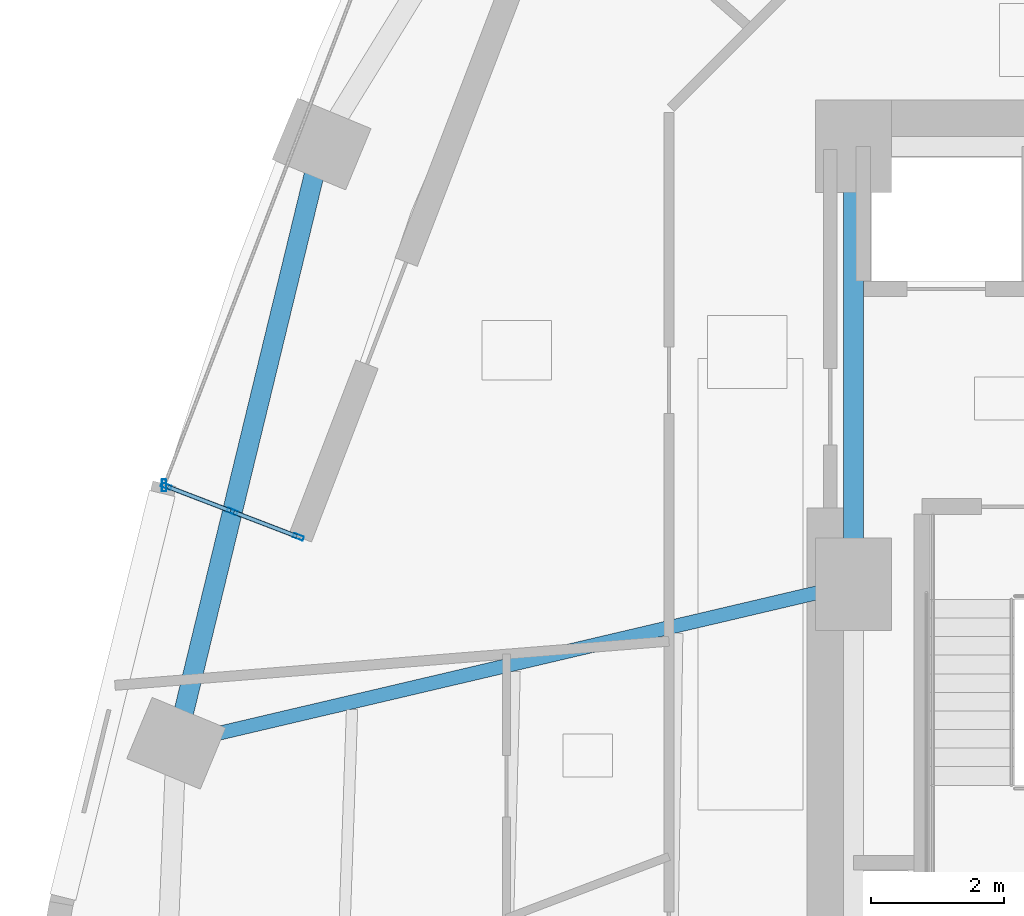
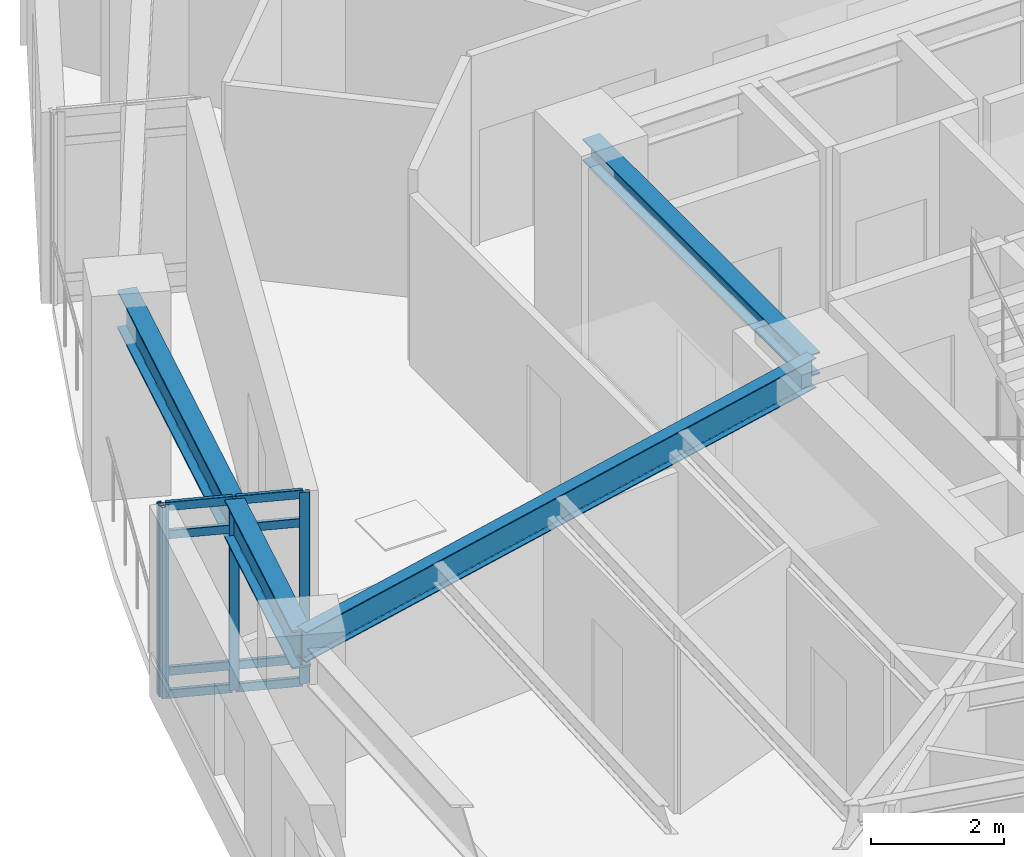
# One storey, part 2 of 12: 12 members, 3 beams, 1 element without a shape of its own.
"""IFC4 building model written with IfcOpenShell, lengths in metres."""

from ifc_helpers import new_model, si_unit, direction, frame, origin, origin_2d, place, context, subcontext, project, spatial, hollow_rectangle, i_section, extrude, material, layer, layer_set, material_profile, profile_set, type_object, element, aggregate, save


model = new_model("IFC4")

# Units and contexts
model_context = context("Model", 3, precision=1e-05, world=origin(), true_north=direction((0.0, 1.0)))
body_context = subcontext(model_context, "Body", "Model", "MODEL_VIEW")
ifc_project = project(units=[si_unit("LENGTHUNIT", "METRE"), si_unit("AREAUNIT", "SQUARE_METRE"), si_unit("VOLUMEUNIT", "CUBIC_METRE"), si_unit("PLANEANGLEUNIT", "RADIAN"), si_unit("MASSUNIT", "GRAM", prefix="KILO")], contexts=[model_context])

# Site, building, storey
site_placement = place(None, origin())
site = spatial("IfcSite", under=ifc_project, at=site_placement, CompositionType="ELEMENT")
building_placement = place(site_placement, origin())
building = spatial("IfcBuilding", under=site, at=building_placement, Name="Ndelora Gate Hotel", CompositionType="ELEMENT")
storey_placement = place(building_placement, frame((0.0, 0.0, 68.0)))
storey = spatial("IfcBuildingStorey", under=building, at=storey_placement, Name="L16", CompositionType="ELEMENT", Elevation=68.0)

# Beams
ifc_material_1 = material(Name="Steel S355", Category="steel")
ifc_material_profile_1 = material_profile(ifc_material_1, i_section(OverallWidth=0.300048828125, OverallDepth=0.39990234375, WebThickness=0.013427734375, FlangeThickness=0.02392578125, FilletRadius=0.027099609375, at=origin_2d()), Name="HEB 400")
ifc_profile_set_1 = profile_set([ifc_material_profile_1], Name="Steel S355")
beam_type_1 = type_object("IfcBeamType", Name="BM-CORE-400", PredefinedType="BEAM", material=ifc_profile_set_1)
beam_1_placement = place(storey_placement, frame((-8.0, 0.0, 3.300048828125), z_axis=(0.0, 1.0, 0.0), x_axis=(-1.0, 0.0, 0.0)))
element("IfcBeam", 1, at=beam_1_placement, inside=storey, type_object=beam_type_1, Name="L16 Core Tie Girder CC8-CC7", PredefinedType="BEAM", context=body_context, shape_type="SweptSolid", body=[
    extrude(i_section(OverallWidth=0.300048828125, OverallDepth=0.39990234375, WebThickness=0.013427734375, FlangeThickness=0.02392578125, FilletRadius=0.027099609375, at=origin_2d()), origin(), (0.0, 0.0, 1.0), 6.60009765625),
])
ifc_material_profile_2 = material_profile(ifc_material_1, i_section(OverallWidth=0.2099609375, OverallDepth=0.550048828125, WebThickness=0.010986328125, FlangeThickness=0.01708984375, FilletRadius=0.02392578125, at=origin_2d()), Name="IPE 550")
ifc_profile_set_2 = profile_set([ifc_material_profile_2], Name="Steel S355")
beam_type_2 = type_object("IfcBeamType", Name="BM-RAD-550", PredefinedType="BEAM", material=ifc_profile_set_2)
beam_2_placement = place(storey_placement, frame((-8.0, 0.0, 3.22509765625), z_axis=(-0.973517848051, -0.22861102232, 0.0), x_axis=(0.22861102232, -0.973517848051, 0.0)))
element("IfcBeam", 2, at=beam_2_placement, inside=storey, type_object=beam_type_2, Name="L16 Radial Floor Girder 4", PredefinedType="BEAM", context=body_context, shape_type="SweptSolid", body=[
    extrude(i_section(OverallWidth=0.2099609375, OverallDepth=0.550048828125, WebThickness=0.010986328125, FlangeThickness=0.01708984375, FilletRadius=0.02392578125, at=origin_2d()), origin(), (0.0, 0.0, 1.0), 10.48486328125),
])
ifc_material_profile_3 = material_profile(ifc_material_1, i_section(OverallWidth=0.300048828125, OverallDepth=0.699951171875, WebThickness=0.01708984375, FlangeThickness=0.031982421875, FilletRadius=0.027099609375, at=origin_2d()), Name="HEB 700")
ifc_profile_set_3 = profile_set([ifc_material_profile_3], Name="Steel S355")
beam_type_3 = type_object("IfcBeamType", Name="BM-RING-700", PredefinedType="SPANDREL", material=ifc_profile_set_3)
beam_3_placement = place(storey_placement, frame((-16.016845703125, 6.634521484375, 3.14990234375), z_axis=(-0.235699273714, -0.971826040179, 0.0), x_axis=(0.971826040179, -0.235699273714, 0.0)))
element("IfcBeam", 3, at=beam_3_placement, inside=storey, type_object=beam_type_3, Name="L16 Perimeter Spandrel Girder 3", PredefinedType="SPANDREL", context=body_context, shape_type="SweptSolid", body=[
    extrude(i_section(OverallWidth=0.300048828125, OverallDepth=0.699951171875, WebThickness=0.01708984375, FlangeThickness=0.031982421875, FilletRadius=0.027099609375, at=origin_2d()), origin(), (0.0, 0.0, 1.0), 9.293212890625),
])

# Curtain wall, members
ifc_material_2 = material(Name="Bronze Anodised Unitised Aluminium and Low-E Glass", Category="aluminium")
ifc_layer = layer(ifc_material_2, 0.199951171875)
ifc_layer_set = layer_set([ifc_layer], Name="Bronze Anodised Unitised Aluminium and Low-E Glass")
curtain_wall_type = type_object("IfcCurtainWallType", Name="CW-SYS-3", PredefinedType="NOTDEFINED", material=ifc_layer_set)
curtain_wall_placement = place(storey_placement, origin())
curtain_wall = element("IfcCurtainWall", 4, at=curtain_wall_placement, inside=storey, type_object=curtain_wall_type, Name="L16 Sky-Garden Loggia Side Curtain Wall CW3-2", PredefinedType="NOTDEFINED")
ifc_material_3 = material(Name="Bronze Anodised Aluminium 6063-T6", Category="aluminium")
ifc_material_profile_4 = material_profile(ifc_material_3, hollow_rectangle(XDim=0.06494140625, YDim=0.159912109375, WallThickness=0.00390625, InnerFilletRadius=0.00390625, OuterFilletRadius=0.008056640625, at=origin_2d()), Name="ALU 160x65x4")
ifc_profile_set_4 = profile_set([ifc_material_profile_4], Name="Bronze Anodised Aluminium 6063-T6")
member_type_1 = type_object("IfcMemberType", Name="MB-CW-MUL150", PredefinedType="MULLION", material=ifc_profile_set_4)
member_1_placement = place(storey_placement, frame((-18.359130859375, 1.4775390625, -0.00390625), z_axis=(0.0, 0.0, 1.0), x_axis=(0.35837589096, 0.933577378035, 0.0)))
member_1 = element("IfcMember", 5, at=member_1_placement, type_object=member_type_1, Name="CW3 mullion 1", PredefinedType="MULLION", context=body_context, shape_type="SweptSolid", body=[
    extrude(hollow_rectangle(XDim=0.06494140625, YDim=0.159912109375, WallThickness=0.00390625, InnerFilletRadius=0.00390625, OuterFilletRadius=0.008056640625, at=origin_2d()), origin(), (0.0, 0.0, 1.0), 3.5078125),
])
member_2_placement = place(storey_placement, frame((-17.362548828125, 1.094970703125, -0.00390625), z_axis=(0.0, 0.0, 1.0), x_axis=(0.35837589096, 0.933577378035, 0.0)))
member_2 = element("IfcMember", 6, at=member_2_placement, type_object=member_type_1, Name="CW3 mullion 2", PredefinedType="MULLION", context=body_context, shape_type="SweptSolid", body=[
    extrude(hollow_rectangle(XDim=0.06494140625, YDim=0.159912109375, WallThickness=0.00390625, InnerFilletRadius=0.00390625, OuterFilletRadius=0.008056640625, at=origin_2d()), origin(), (0.0, 0.0, 1.0), 3.5078125),
])
member_3_placement = place(storey_placement, frame((-16.365966796875, 0.71240234375, -0.00390625), z_axis=(0.0, 0.0, 1.0), x_axis=(0.35837589096, 0.933577378035, 0.0)))
member_3 = element("IfcMember", 7, at=member_3_placement, type_object=member_type_1, Name="CW3 mullion 3", PredefinedType="MULLION", context=body_context, shape_type="SweptSolid", body=[
    extrude(hollow_rectangle(XDim=0.06494140625, YDim=0.159912109375, WallThickness=0.00390625, InnerFilletRadius=0.00390625, OuterFilletRadius=0.008056640625, at=origin_2d()), origin(), (0.0, 0.0, 1.0), 3.5078125),
])
ifc_material_profile_5 = material_profile(ifc_material_3, hollow_rectangle(XDim=0.070068359375, YDim=0.179931640625, WallThickness=0.0048828125, InnerFilletRadius=0.0048828125, OuterFilletRadius=0.010009765625, at=origin_2d()), Name="ALU 180x70x5")
ifc_profile_set_5 = profile_set([ifc_material_profile_5], Name="Bronze Anodised Aluminium 6063-T6")
member_type_2 = type_object("IfcMemberType", Name="MB-CW-MUL180", PredefinedType="MULLION", material=ifc_profile_set_5)
member_4_placement = place(storey_placement, frame((-18.389404296875, 1.489013671875, 0.0), z_axis=(0.0, 0.0, 1.0), x_axis=(1.0, 0.0, 0.0)))
member_4 = element("IfcMember", 8, at=member_4_placement, type_object=member_type_2, Name="L16 Sky-Garden Loggia Corner Mullion Post 2", PredefinedType="MULLION", context=body_context, shape_type="SweptSolid", body=[
    extrude(hollow_rectangle(XDim=0.070068359375, YDim=0.179931640625, WallThickness=0.0048828125, InnerFilletRadius=0.0048828125, OuterFilletRadius=0.010009765625, at=origin_2d()), origin(), (0.0, 0.0, 1.0), 3.5),
])
ifc_material_profile_6 = material_profile(ifc_material_3, hollow_rectangle(XDim=0.06494140625, YDim=0.159912109375, WallThickness=0.00390625, InnerFilletRadius=0.00390625, OuterFilletRadius=0.008056640625, at=origin_2d()), Name="ALU 160x65x4")
ifc_profile_set_6 = profile_set([ifc_material_profile_6], Name="Bronze Anodised Aluminium 6063-T6")
member_type_3 = type_object("IfcMemberType", Name="MB-CW-TRN150", PredefinedType="USERDEFINED", material=ifc_profile_set_6)
member_5_placement = place(storey_placement, frame((-18.33447265625, 1.468017578125, 0.032470703125), z_axis=(0.93358111833, -0.358366147253, 0.0), x_axis=(0.358366147253, 0.93358111833, 0.0)))
member_5 = element("IfcMember", 9, at=member_5_placement, type_object=member_type_3, Name="CW3 transom 1.1", ObjectType="TRANSOM", PredefinedType="USERDEFINED", context=body_context, shape_type="SweptSolid", body=[
    extrude(hollow_rectangle(XDim=0.06494140625, YDim=0.159912109375, WallThickness=0.00390625, InnerFilletRadius=0.00390625, OuterFilletRadius=0.008056640625, at=origin_2d()), origin(), (0.0, 0.0, 1.0), 1.014404296875),
])
member_6_placement = place(storey_placement, frame((-18.33447265625, 1.468017578125, 0.449951171875), z_axis=(0.93358111833, -0.358366147253, 0.0), x_axis=(0.358366147253, 0.93358111833, 0.0)))
member_6 = element("IfcMember", 10, at=member_6_placement, type_object=member_type_3, Name="CW3 transom 1.2", ObjectType="TRANSOM", PredefinedType="USERDEFINED", context=body_context, shape_type="SweptSolid", body=[
    extrude(hollow_rectangle(XDim=0.06494140625, YDim=0.159912109375, WallThickness=0.00390625, InnerFilletRadius=0.00390625, OuterFilletRadius=0.008056640625, at=origin_2d()), origin(), (0.0, 0.0, 1.0), 1.014404296875),
])
member_7_placement = place(storey_placement, frame((-18.33447265625, 1.468017578125, 2.949951171875), z_axis=(0.93358111833, -0.358366147253, 0.0), x_axis=(0.358366147253, 0.93358111833, 0.0)))
member_7 = element("IfcMember", 11, at=member_7_placement, type_object=member_type_3, Name="CW3 transom 1.3", ObjectType="TRANSOM", PredefinedType="USERDEFINED", context=body_context, shape_type="SweptSolid", body=[
    extrude(hollow_rectangle(XDim=0.06494140625, YDim=0.159912109375, WallThickness=0.00390625, InnerFilletRadius=0.00390625, OuterFilletRadius=0.008056640625, at=origin_2d()), origin(), (0.0, 0.0, 1.0), 1.014404296875),
])
member_8_placement = place(storey_placement, frame((-18.33447265625, 1.468017578125, 3.467529296875), z_axis=(0.93358111833, -0.358366147253, 0.0), x_axis=(0.358366147253, 0.93358111833, 0.0)))
member_8 = element("IfcMember", 12, at=member_8_placement, type_object=member_type_3, Name="CW3 transom 1.4", ObjectType="TRANSOM", PredefinedType="USERDEFINED", context=body_context, shape_type="SweptSolid", body=[
    extrude(hollow_rectangle(XDim=0.06494140625, YDim=0.159912109375, WallThickness=0.00390625, InnerFilletRadius=0.00390625, OuterFilletRadius=0.008056640625, at=origin_2d()), origin(), (0.0, 0.0, 1.0), 1.014404296875),
])
member_9_placement = place(storey_placement, frame((-17.337890625, 1.08544921875, 0.032470703125), z_axis=(0.93358111833, -0.358366147253, 0.0), x_axis=(0.358366147253, 0.93358111833, 0.0)))
member_9 = element("IfcMember", 13, at=member_9_placement, type_object=member_type_3, Name="CW3 transom 2.1", ObjectType="TRANSOM", PredefinedType="USERDEFINED", context=body_context, shape_type="SweptSolid", body=[
    extrude(hollow_rectangle(XDim=0.06494140625, YDim=0.159912109375, WallThickness=0.00390625, InnerFilletRadius=0.00390625, OuterFilletRadius=0.008056640625, at=origin_2d()), origin(), (0.0, 0.0, 1.0), 1.014404296875),
])
member_10_placement = place(storey_placement, frame((-17.337890625, 1.08544921875, 0.449951171875), z_axis=(0.93358111833, -0.358366147253, 0.0), x_axis=(0.358366147253, 0.93358111833, 0.0)))
member_10 = element("IfcMember", 14, at=member_10_placement, type_object=member_type_3, Name="CW3 transom 2.2", ObjectType="TRANSOM", PredefinedType="USERDEFINED", context=body_context, shape_type="SweptSolid", body=[
    extrude(hollow_rectangle(XDim=0.06494140625, YDim=0.159912109375, WallThickness=0.00390625, InnerFilletRadius=0.00390625, OuterFilletRadius=0.008056640625, at=origin_2d()), origin(), (0.0, 0.0, 1.0), 1.014404296875),
])
member_11_placement = place(storey_placement, frame((-17.337890625, 1.08544921875, 2.949951171875), z_axis=(0.93358111833, -0.358366147253, 0.0), x_axis=(0.358366147253, 0.93358111833, 0.0)))
member_11 = element("IfcMember", 15, at=member_11_placement, type_object=member_type_3, Name="CW3 transom 2.3", ObjectType="TRANSOM", PredefinedType="USERDEFINED", context=body_context, shape_type="SweptSolid", body=[
    extrude(hollow_rectangle(XDim=0.06494140625, YDim=0.159912109375, WallThickness=0.00390625, InnerFilletRadius=0.00390625, OuterFilletRadius=0.008056640625, at=origin_2d()), origin(), (0.0, 0.0, 1.0), 1.014404296875),
])
member_12_placement = place(storey_placement, frame((-17.337890625, 1.08544921875, 3.467529296875), z_axis=(0.93358111833, -0.358366147253, 0.0), x_axis=(0.358366147253, 0.93358111833, 0.0)))
member_12 = element("IfcMember", 16, at=member_12_placement, type_object=member_type_3, Name="CW3 transom 2.4", ObjectType="TRANSOM", PredefinedType="USERDEFINED", context=body_context, shape_type="SweptSolid", body=[
    extrude(hollow_rectangle(XDim=0.06494140625, YDim=0.159912109375, WallThickness=0.00390625, InnerFilletRadius=0.00390625, OuterFilletRadius=0.008056640625, at=origin_2d()), origin(), (0.0, 0.0, 1.0), 1.014404296875),
])
aggregate(curtain_wall, [member_1, member_2, member_3, member_5, member_6, member_7, member_8, member_9, member_10, member_11, member_12, member_4])

save(model, "model.ifc")
